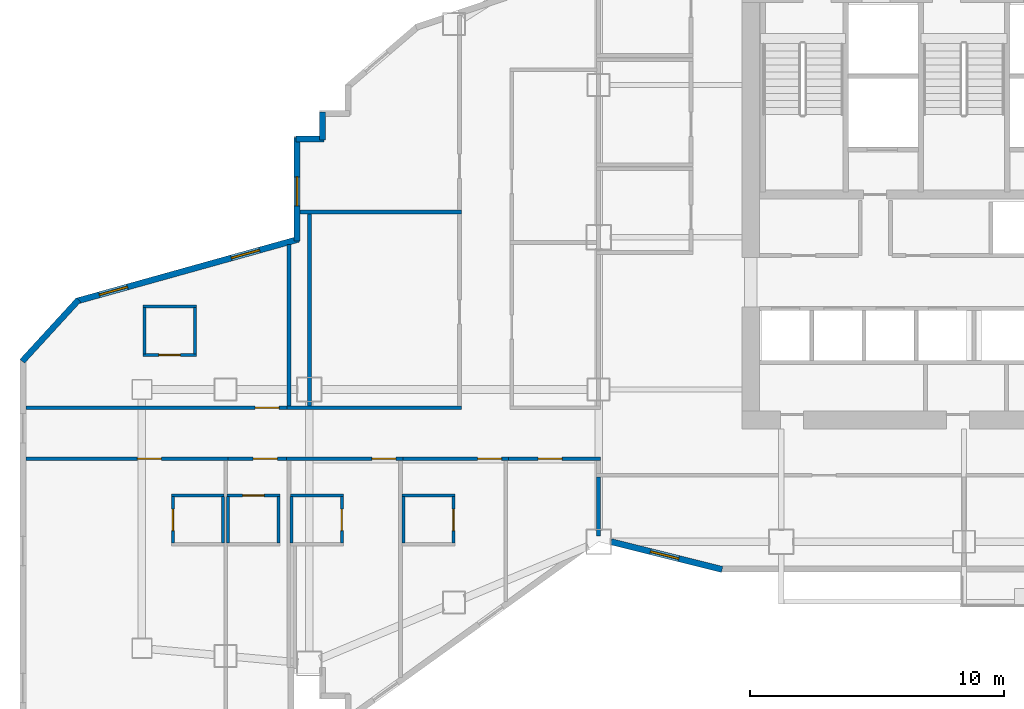
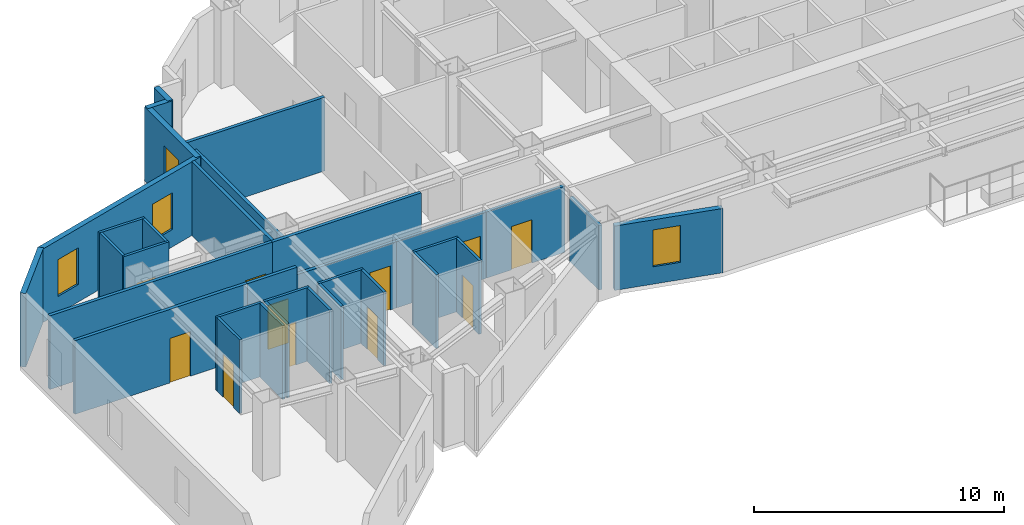
# One storey, part 7 of 14: 33 walls, 11 doors, 4 windows, 15 openings.
"""IFC4 building model written with IfcOpenShell, lengths in metres."""

from ifc_helpers import new_model, si_unit, direction, frame, frame_2d, origin, place, context, subcontext, project, spatial, rectangle, extrude, material, layer, layer_set, type_object, element, fill, save


model = new_model("IFC4")

# Units and contexts
model_context = context("Model", 3, precision=1e-05, world=origin(), true_north=direction((0.0, 1.0)))
body_context = subcontext(model_context, "Body", "Model", "MODEL_VIEW")
ifc_project = project(units=[si_unit("LENGTHUNIT", "METRE"), si_unit("AREAUNIT", "SQUARE_METRE"), si_unit("VOLUMEUNIT", "CUBIC_METRE"), si_unit("PLANEANGLEUNIT", "RADIAN"), si_unit("MASSUNIT", "GRAM", prefix="KILO")], contexts=[model_context])

# Site, building, storey
site_placement = place(None, origin())
site = spatial("IfcSite", under=ifc_project, at=site_placement, CompositionType="ELEMENT")
building_placement = place(site_placement, origin())
building = spatial("IfcBuilding", under=site, at=building_placement, Name="Haolan Belvedere Tower", CompositionType="ELEMENT")
storey_placement = place(building_placement, frame((0.0, 0.0, 141.0)))
storey = spatial("IfcBuildingStorey", under=building, at=storey_placement, Name="L35", CompositionType="ELEMENT", Elevation=141.0)

# Wall, opening, window
ifc_material_1 = material(Name="Precast concrete C40/50", Category="concrete")
ifc_layer_1 = layer(ifc_material_1, 0.239990234375, Name="Precast concrete C40/50")
ifc_layer_set_1 = layer_set([ifc_layer_1], Name="Precast concrete C40/50")
wall_type_1 = type_object("IfcWallType", Name="WL-EXT-240", PredefinedType="SOLIDWALL", material=ifc_layer_set_1)
wall_1_placement = place(storey_placement, frame((24.491943359375, 21.6005859375, 0.0), z_axis=(0.0, 0.0, 1.0), x_axis=(0.970145683738, -0.242522890311, 0.0)))
wall_1 = element("IfcWall", 1, at=wall_1_placement, inside=storey, type_object=wall_type_1, Name="L35 pale-metal exterior spandrel wall 6.1", PredefinedType="SOLIDWALL", context=body_context, shape_type="SweptSolid", body=[
    extrude(rectangle(XDim=4.510986328125, YDim=0.239990234375, at=frame_2d((2.25537109375, 0.0))), origin(), (0.0, 0.0, 1.0), 3.14501953125),
])
opening_1_placement = place(wall_1_placement, frame((1.60009765625, 0.0, 0.85009765625)))
opening_1 = element("IfcOpeningElement", 2, at=opening_1_placement, cuts=wall_1, Name="Opening W-02", PredefinedType="OPENING", context=body_context, shape_type="SweptSolid", body=[
    extrude(rectangle(XDim=1.14990234375, YDim=1.800048828125, at=frame_2d((0.574951171875, 0.89990234375))), frame((0.0, 0.1298828125, 0.0), z_axis=(0.0, -1.0, 0.0), x_axis=(1.0, 0.0, 0.0)), (0.0, 0.0, 1.0), 0.260009765625),
])
ifc_material_2 = material(Name="Anodised aluminium 6063-T6 and Low-E glass", Category="aluminium")
window_type = type_object("IfcWindowType", Name="WN-DECO-Z2", PartitioningType="SINGLE_PANEL", PredefinedType="WINDOW", material=ifc_material_2)
window_1_placement = place(opening_1_placement, origin())
window_1 = element("IfcWindow", 3, at=window_1_placement, inside=storey, type_object=window_type, Name="L35 Art Deco chevron window 1", OverallHeight=1.800048828125, OverallWidth=1.14990234375, PartitioningType="SINGLE_PANEL", PredefinedType="WINDOW", context=body_context, shape_type="SweptSolid", body=[
    extrude(rectangle(XDim=1.14990234375, YDim=1.800048828125, at=frame_2d((0.574951171875, 0.89990234375))), frame((0.0, 0.030029296875, 0.0), z_axis=(0.0, -1.0, 0.0), x_axis=(1.0, 0.0, 0.0)), (0.0, 0.0, 1.0), 0.06005859375),
])
fill(opening_1, window_1)

# Walls
wall_2_placement = place(storey_placement, frame((13.1201171875, 38.534912109375, 0.0), z_axis=(0.0, 0.0, 1.0), x_axis=(0.0, -1.0, 0.0)))
element("IfcWall", 4, at=wall_2_placement, inside=storey, type_object=wall_type_1, Name="L35 pale-metal exterior spandrel wall 39.1", PredefinedType="SOLIDWALL", context=body_context, shape_type="SweptSolid", body=[
    extrude(rectangle(XDim=1.10986328125, YDim=0.239990234375, at=frame_2d((0.554931640625, 0.0))), origin(), (0.0, 0.0, 1.0), 3.60009765625),
])
wall_3_placement = place(storey_placement, frame((13.175048828125, 37.47998046875, 0.0), z_axis=(0.0, 0.0, 1.0), x_axis=(-1.0, 0.0, 0.0)))
element("IfcWall", 5, at=wall_3_placement, inside=storey, type_object=wall_type_1, Name="L35 pale-metal exterior spandrel wall 40.1", PredefinedType="SOLIDWALL", context=body_context, shape_type="SweptSolid", body=[
    extrude(rectangle(XDim=1.110107421875, YDim=0.239990234375, at=frame_2d((0.55517578125, 0.0))), origin(), (0.0, 0.0, 1.0), 3.60009765625),
])

# Wall, opening, window
wall_4_placement = place(storey_placement, frame((12.1201171875, 37.534912109375, 0.0), z_axis=(0.0, 0.0, 1.0), x_axis=(0.0, -1.0, 0.0)))
wall_4 = element("IfcWall", 6, at=wall_4_placement, inside=storey, type_object=wall_type_1, Name="L35 pale-metal exterior spandrel wall 41.1", PredefinedType="SOLIDWALL", context=body_context, shape_type="SweptSolid", body=[
    extrude(rectangle(XDim=4.0810546875, YDim=0.239990234375, at=frame_2d((2.04052734375, 0.0))), origin(), (0.0, 0.0, 1.0), 3.60009765625),
])
opening_2_placement = place(wall_4_placement, frame((1.550048828125, 0.0, 0.85009765625)))
opening_2 = element("IfcOpeningElement", 7, at=opening_2_placement, cuts=wall_4, Name="Opening W-02", PredefinedType="OPENING", context=body_context, shape_type="SweptSolid", body=[
    extrude(rectangle(XDim=1.14990234375, YDim=1.800048828125, at=frame_2d((0.574951171875, 0.89990234375))), frame((0.0, 0.1298828125, 0.0), z_axis=(0.0, -1.0, 0.0), x_axis=(1.0, 0.0, 0.0)), (0.0, 0.0, 1.0), 0.260009765625),
])
window_2_placement = place(opening_2_placement, origin())
window_2 = element("IfcWindow", 8, at=window_2_placement, inside=storey, type_object=window_type, Name="L35 Art Deco chevron window 1", OverallHeight=1.800048828125, OverallWidth=1.14990234375, PartitioningType="SINGLE_PANEL", PredefinedType="WINDOW", context=body_context, shape_type="SweptSolid", body=[
    extrude(rectangle(XDim=1.14990234375, YDim=1.800048828125, at=frame_2d((0.574951171875, 0.89990234375))), frame((0.0, 0.030029296875, 0.0), z_axis=(0.0, -1.0, 0.0), x_axis=(1.0, 0.0, 0.0)), (0.0, 0.0, 1.0), 0.06005859375),
])
fill(opening_2, window_2)

# Wall, openings, windows
wall_5_placement = place(storey_placement, frame((12.173095703125, 33.523681640625, 0.0), z_axis=(0.0, 0.0, 1.0), x_axis=(-0.963197271032, -0.268795493036, 0.0)))
wall_5 = element("IfcWall", 9, at=wall_5_placement, inside=storey, type_object=wall_type_1, Name="L35 pale-metal exterior spandrel wall 42.1", PredefinedType="SOLIDWALL", context=body_context, shape_type="SweptSolid", body=[
    extrude(rectangle(XDim=9.095458984375, YDim=0.239990234375, at=frame_2d((4.5478515625, 0.0))), origin(), (0.0, 0.0, 1.0), 3.60009765625),
])
opening_3_placement = place(wall_5_placement, frame((1.60009765625, 0.0, 0.85009765625)))
opening_3 = element("IfcOpeningElement", 10, at=opening_3_placement, cuts=wall_5, Name="Opening W-02", PredefinedType="OPENING", context=body_context, shape_type="SweptSolid", body=[
    extrude(rectangle(XDim=1.14990234375, YDim=1.800048828125, at=frame_2d((0.574951171875, 0.89990234375))), frame((0.0, 0.1298828125, 0.0), z_axis=(0.0, -1.0, 0.0), x_axis=(1.0, 0.0, 0.0)), (0.0, 0.0, 1.0), 0.260009765625),
])
opening_4_placement = place(wall_5_placement, frame((7.0, 0.0, 0.85009765625)))
opening_4 = element("IfcOpeningElement", 11, at=opening_4_placement, cuts=wall_5, Name="Opening W-02", PredefinedType="OPENING", context=body_context, shape_type="SweptSolid", body=[
    extrude(rectangle(XDim=1.14990234375, YDim=1.800048828125, at=frame_2d((0.574951171875, 0.89990234375))), frame((0.0, 0.1298828125, 0.0), z_axis=(0.0, -1.0, 0.0), x_axis=(1.0, 0.0, 0.0)), (0.0, 0.0, 1.0), 0.260009765625),
])
window_3_placement = place(opening_3_placement, origin())
window_3 = element("IfcWindow", 12, at=window_3_placement, inside=storey, type_object=window_type, Name="L35 Art Deco chevron window 1", OverallHeight=1.800048828125, OverallWidth=1.14990234375, PartitioningType="SINGLE_PANEL", PredefinedType="WINDOW", context=body_context, shape_type="SweptSolid", body=[
    extrude(rectangle(XDim=1.14990234375, YDim=1.800048828125, at=frame_2d((0.574951171875, 0.89990234375))), frame((0.0, 0.030029296875, 0.0), z_axis=(0.0, -1.0, 0.0), x_axis=(1.0, 0.0, 0.0)), (0.0, 0.0, 1.0), 0.06005859375),
])
fill(opening_3, window_3)
window_4_placement = place(opening_4_placement, origin())
window_4 = element("IfcWindow", 13, at=window_4_placement, inside=storey, type_object=window_type, Name="L35 Art Deco chevron window 2", OverallHeight=1.800048828125, OverallWidth=1.14990234375, PartitioningType="SINGLE_PANEL", PredefinedType="WINDOW", context=body_context, shape_type="SweptSolid", body=[
    extrude(rectangle(XDim=1.14990234375, YDim=1.800048828125, at=frame_2d((0.574951171875, 0.89990234375))), frame((0.0, 0.030029296875, 0.0), z_axis=(0.0, -1.0, 0.0), x_axis=(1.0, 0.0, 0.0)), (0.0, 0.0, 1.0), 0.06005859375),
])
fill(opening_4, window_4)

# Walls
wall_6_placement = place(storey_placement, frame((3.50244140625, 31.134033203125, 0.0), z_axis=(0.0, 0.0, 1.0), x_axis=(-0.675781844312, -0.737101688302, 0.0)))
element("IfcWall", 14, at=wall_6_placement, inside=storey, type_object=wall_type_1, Name="L35 pale-metal exterior spandrel wall 43.1", PredefinedType="SOLIDWALL", context=body_context, shape_type="SweptSolid", body=[
    extrude(rectangle(XDim=3.28466796875, YDim=0.239990234375, at=frame_2d((1.642333984375, 0.0))), origin(), (0.0, 0.0, 1.0), 3.60009765625),
])
ifc_material_3 = material(Name="Double gypsum acoustic stud partition", Category="masonry")
ifc_layer_2 = layer(ifc_material_3, 0.14990234375, Name="Double gypsum acoustic stud partition")
ifc_layer_set_2 = layer_set([ifc_layer_2], Name="Double gypsum acoustic stud partition")
wall_type_2 = type_object("IfcWallType", Name="WL-PART-150", PredefinedType="PARTITIONING", material=ifc_layer_set_2)
wall_7_placement = place(storey_placement, frame((24.0, 21.818603515625, 0.0), z_axis=(0.0, 0.0, 1.0), x_axis=(0.0, 1.0, 0.0)))
element("IfcWall", 15, at=wall_7_placement, inside=storey, type_object=wall_type_2, Name="L35 interior partition IW-L35-KS1-W", PredefinedType="PARTITIONING", context=body_context, shape_type="SweptSolid", body=[
    extrude(rectangle(XDim=2.34130859375, YDim=0.14990234375, at=frame_2d((1.170654296875, 0.0))), origin(), (0.0, 0.0, 1.0), 3.14501953125),
])
wall_8_placement = place(storey_placement, frame((12.22509765625, 34.60009765625, 0.0), z_axis=(0.0, 0.0, 1.0), x_axis=(1.0, 0.0, 0.0)))
element("IfcWall", 16, at=wall_8_placement, inside=storey, type_object=wall_type_2, Name="L35 interior partition IW-L35-T2W1-N", PredefinedType="PARTITIONING", context=body_context, shape_type="SweptSolid", body=[
    extrude(rectangle(XDim=6.375, YDim=0.14990234375, at=frame_2d((3.1875, 0.0))), origin(), (0.0, 0.0, 1.0), 3.60009765625),
])
wall_9_placement = place(storey_placement, frame((11.719970703125, 26.8798828125, 0.0), z_axis=(0.0, 0.0, 1.0), x_axis=(1.0, 0.0, 0.0)))
element("IfcWall", 17, at=wall_9_placement, inside=storey, type_object=wall_type_2, Name="L35 interior partition IW-L35-T2W1-S", PredefinedType="PARTITIONING", context=body_context, shape_type="SweptSolid", body=[
    extrude(rectangle(XDim=6.880126953125, YDim=0.14990234375, at=frame_2d((3.43994140625, 0.0))), origin(), (0.0, 0.0, 1.0), 3.60009765625),
])
wall_10_placement = place(storey_placement, frame((11.800048828125, 26.93994140625, 0.0), z_axis=(0.0, 0.0, 1.0), x_axis=(0.0, 1.0, 0.0)))
element("IfcWall", 18, at=wall_10_placement, inside=storey, type_object=wall_type_2, Name="L35 interior partition IW-L35-T2W1-W", PredefinedType="PARTITIONING", context=body_context, shape_type="SweptSolid", body=[
    extrude(rectangle(XDim=6.37060546875, YDim=0.14990234375, at=frame_2d((3.185302734375, 0.0))), origin(), (0.0, 0.0, 1.0), 3.60009765625),
])

# Wall, opening, door
wall_11_placement = place(storey_placement, frame((11.699951171875, 24.8701171875, 0.0), z_axis=(0.0, 0.0, 1.0), x_axis=(1.0, 0.0, 0.0)))
wall_11 = element("IfcWall", 19, at=wall_11_placement, inside=storey, type_object=wall_type_2, Name="L35 interior partition IW-L35-T2S1-N", PredefinedType="PARTITIONING", context=body_context, shape_type="SweptSolid", body=[
    extrude(rectangle(XDim=4.590087890625, YDim=0.14990234375, at=frame_2d((2.294921875, 0.0))), origin(), (0.0, 0.0, 1.0), 3.235107421875),
])
opening_5_placement = place(wall_11_placement, frame((4.311279296875, 0.0, 0.0), z_axis=(0.0, 0.0, 1.0), x_axis=(-1.0, 0.0, 0.0)))
opening_5 = element("IfcOpeningElement", 20, at=opening_5_placement, cuts=wall_11, Name="Opening ID-02", PredefinedType="OPENING", context=body_context, shape_type="SweptSolid", body=[
    extrude(rectangle(XDim=0.949951171875, YDim=2.14990234375, at=frame_2d((0.47509765625, 1.074951171875))), frame((0.0, 0.0849609375, 0.0), z_axis=(0.0, -1.0, 0.0), x_axis=(1.0, 0.0, 0.0)), (0.0, 0.0, 1.0), 0.169921875),
])
ifc_material_4 = material(Name="Acoustic oak veneer fire-rated timber", Category="wood")
door_type_1 = type_object("IfcDoorType", Name="DR-GUEST-950", OperationType="NOTDEFINED", PredefinedType="DOOR", material=ifc_material_4)
door_1_placement = place(opening_5_placement, origin())
door_1 = element("IfcDoor", 21, at=door_1_placement, inside=storey, type_object=door_type_1, Name="L35 door ID-L35-T2S1-ENT", OperationType="SINGLE_SWING_LEFT", OverallHeight=2.14990234375, OverallWidth=0.949951171875, PredefinedType="DOOR", context=body_context, shape_type="SweptSolid", body=[
    extrude(rectangle(XDim=0.949951171875, YDim=2.14990234375, at=frame_2d((0.47509765625, 1.074951171875))), frame((0.0, 0.02490234375, 0.0), z_axis=(0.0, -1.0, 0.0), x_axis=(1.0, 0.0, 0.0)), (0.0, 0.0, 1.0), 0.050048828125),
])
fill(opening_5, door_1)

wall_12_placement = place(storey_placement, frame((16.2919921875, 24.8701171875, 0.0), z_axis=(0.0, 0.0, 1.0), x_axis=(1.0, 0.0, 0.0)))
wall_12 = element("IfcWall", 22, at=wall_12_placement, inside=storey, type_object=wall_type_2, Name="L35 interior partition IW-L35-T2S2-N", PredefinedType="PARTITIONING", context=body_context, shape_type="SweptSolid", body=[
    extrude(rectangle(XDim=4.14794921875, YDim=0.14990234375, at=frame_2d((2.073974609375, 0.0))), origin(), (0.0, 0.0, 1.0), 3.235107421875),
])
opening_6_placement = place(wall_12_placement, frame((3.88525390625, 0.0, 0.0), z_axis=(0.0, 0.0, 1.0), x_axis=(-1.0, 0.0, 0.0)))
opening_6 = element("IfcOpeningElement", 23, at=opening_6_placement, cuts=wall_12, Name="Opening ID-02", PredefinedType="OPENING", context=body_context, shape_type="SweptSolid", body=[
    extrude(rectangle(XDim=0.949951171875, YDim=2.14990234375, at=frame_2d((0.47509765625, 1.074951171875))), frame((0.0, 0.0849609375, 0.0), z_axis=(0.0, -1.0, 0.0), x_axis=(1.0, 0.0, 0.0)), (0.0, 0.0, 1.0), 0.169921875),
])
door_2_placement = place(opening_6_placement, origin())
door_2 = element("IfcDoor", 24, at=door_2_placement, inside=storey, type_object=door_type_1, Name="L35 door ID-L35-T2S2-ENT", OperationType="SINGLE_SWING_RIGHT", OverallHeight=2.14990234375, OverallWidth=0.949951171875, PredefinedType="DOOR", context=body_context, shape_type="SweptSolid", body=[
    extrude(rectangle(XDim=0.949951171875, YDim=2.14990234375, at=frame_2d((0.47509765625, 1.074951171875))), frame((0.0, 0.02490234375, 0.0), z_axis=(0.0, -1.0, 0.0), x_axis=(1.0, 0.0, 0.0)), (0.0, 0.0, 1.0), 0.050048828125),
])
fill(opening_6, door_2)

wall_13_placement = place(storey_placement, frame((20.44189453125, 24.8701171875, 0.0), z_axis=(0.0, 0.0, 1.0), x_axis=(1.0, 0.0, 0.0)))
wall_13 = element("IfcWall", 25, at=wall_13_placement, inside=storey, type_object=wall_type_2, Name="L35 interior partition IW-L35-T2S3-N", PredefinedType="PARTITIONING", context=body_context, shape_type="SweptSolid", body=[
    extrude(rectangle(XDim=3.63818359375, YDim=0.14990234375, at=frame_2d((1.819091796875, 0.0))), origin(), (0.0, 0.0, 1.0), 3.235107421875),
])
opening_7_placement = place(wall_13_placement, frame((2.123046875, 0.0, 0.0), z_axis=(0.0, 0.0, 1.0), x_axis=(-1.0, 0.0, 0.0)))
opening_7 = element("IfcOpeningElement", 26, at=opening_7_placement, cuts=wall_13, Name="Opening ID-03", PredefinedType="OPENING", context=body_context, shape_type="SweptSolid", body=[
    extrude(rectangle(XDim=0.949951171875, YDim=2.1201171875, at=frame_2d((0.47509765625, 1.06005859375))), frame((0.0, 0.0849609375, 0.0), z_axis=(0.0, -1.0, 0.0), x_axis=(1.0, 0.0, 0.0)), (0.0, 0.0, 1.0), 0.169921875),
])
ifc_material_5 = material(Name="Painted solid-core timber", Category="wood")
door_type_2 = type_object("IfcDoorType", Name="DR-INT-950", OperationType="NOTDEFINED", PredefinedType="DOOR", material=ifc_material_5)
door_3_placement = place(opening_7_placement, origin())
door_3 = element("IfcDoor", 27, at=door_3_placement, inside=storey, type_object=door_type_2, Name="L35 door ID-L35-T2S3", OperationType="SINGLE_SWING_LEFT", OverallHeight=2.1201171875, OverallWidth=0.949951171875, PredefinedType="DOOR", context=body_context, shape_type="SweptSolid", body=[
    extrude(rectangle(XDim=0.949951171875, YDim=2.1201171875, at=frame_2d((0.47509765625, 1.06005859375))), frame((0.0, 0.02490234375, 0.0), z_axis=(0.0, -1.0, 0.0), x_axis=(1.0, 0.0, 0.0)), (0.0, 0.0, 1.0), 0.050048828125),
])
fill(opening_7, door_3)

wall_14_placement = place(storey_placement, frame((1.425048828125, 24.8701171875, 0.0), z_axis=(0.0, 0.0, 1.0), x_axis=(1.0, 0.0, 0.0)))
wall_14 = element("IfcWall", 28, at=wall_14_placement, inside=storey, type_object=wall_type_2, Name="L35 interior partition IW-L35-T1S1-N", PredefinedType="PARTITIONING", context=body_context, shape_type="SweptSolid", body=[
    extrude(rectangle(XDim=7.974853515625, YDim=0.14990234375, at=frame_2d((3.9873046875, 0.0))), origin(), (0.0, 0.0, 1.0), 3.60009765625),
])
opening_8_placement = place(wall_14_placement, frame((5.346435546875, 0.0, 0.0), z_axis=(0.0, 0.0, 1.0), x_axis=(-1.0, 0.0, 0.0)))
opening_8 = element("IfcOpeningElement", 29, at=opening_8_placement, cuts=wall_14, Name="Opening ID-01", PredefinedType="OPENING", context=body_context, shape_type="SweptSolid", body=[
    extrude(rectangle(XDim=0.949951171875, YDim=2.179931640625, at=frame_2d((0.47509765625, 1.08984375))), frame((0.0, 0.0849609375, 0.0), z_axis=(0.0, -1.0, 0.0), x_axis=(1.0, 0.0, 0.0)), (0.0, 0.0, 1.0), 0.169921875),
])
ifc_material_6 = material(Name="Acoustic walnut veneer fire-rated timber", Category="wood")
door_type_3 = type_object("IfcDoorType", Name="DR-SUITE-950", OperationType="NOTDEFINED", PredefinedType="DOOR", material=ifc_material_6)
door_4_placement = place(opening_8_placement, origin())
door_4 = element("IfcDoor", 30, at=door_4_placement, inside=storey, type_object=door_type_3, Name="L35 door ID-L35-T1S1-ENT", OperationType="SINGLE_SWING_LEFT", OverallHeight=2.179931640625, OverallWidth=0.949951171875, PredefinedType="DOOR", context=body_context, shape_type="SweptSolid", body=[
    extrude(rectangle(XDim=0.949951171875, YDim=2.179931640625, at=frame_2d((0.47509765625, 1.08984375))), frame((0.0, 0.02490234375, 0.0), z_axis=(0.0, -1.0, 0.0), x_axis=(1.0, 0.0, 0.0)), (0.0, 0.0, 1.0), 0.050048828125),
])
fill(opening_8, door_4)

wall_15_placement = place(storey_placement, frame((9.402099609375, 24.8701171875, 0.0), z_axis=(0.0, 0.0, 1.0), x_axis=(1.0, 0.0, 0.0)))
wall_15 = element("IfcWall", 31, at=wall_15_placement, inside=storey, type_object=wall_type_2, Name="L35 interior partition IW-L35-T1S2-N", PredefinedType="PARTITIONING", context=body_context, shape_type="SweptSolid", body=[
    extrude(rectangle(XDim=2.2958984375, YDim=0.14990234375, at=frame_2d((1.14794921875, 0.0))), origin(), (0.0, 0.0, 1.0), 3.60009765625),
])
opening_9_placement = place(wall_15_placement, frame((1.93408203125, 0.0, 0.0), z_axis=(0.0, 0.0, 1.0), x_axis=(-1.0, 0.0, 0.0)))
opening_9 = element("IfcOpeningElement", 32, at=opening_9_placement, cuts=wall_15, Name="Opening ID-02", PredefinedType="OPENING", context=body_context, shape_type="SweptSolid", body=[
    extrude(rectangle(XDim=0.949951171875, YDim=2.14990234375, at=frame_2d((0.47509765625, 1.074951171875))), frame((0.0, 0.0849609375, 0.0), z_axis=(0.0, -1.0, 0.0), x_axis=(1.0, 0.0, 0.0)), (0.0, 0.0, 1.0), 0.169921875),
])
door_5_placement = place(opening_9_placement, origin())
door_5 = element("IfcDoor", 33, at=door_5_placement, inside=storey, type_object=door_type_1, Name="L35 door ID-L35-T1S2-ENT", OperationType="SINGLE_SWING_RIGHT", OverallHeight=2.14990234375, OverallWidth=0.949951171875, PredefinedType="DOOR", context=body_context, shape_type="SweptSolid", body=[
    extrude(rectangle(XDim=0.949951171875, YDim=2.14990234375, at=frame_2d((0.47509765625, 1.074951171875))), frame((0.0, 0.02490234375, 0.0), z_axis=(0.0, -1.0, 0.0), x_axis=(1.0, 0.0, 0.0)), (0.0, 0.0, 1.0), 0.050048828125),
])
fill(opening_9, door_5)

wall_16_placement = place(storey_placement, frame((1.425048828125, 26.8798828125, 0.0), z_axis=(0.0, 0.0, 1.0), x_axis=(1.0, 0.0, 0.0)))
wall_16 = element("IfcWall", 34, at=wall_16_placement, inside=storey, type_object=wall_type_2, Name="L35 interior partition IW-L35-T1N1-S", PredefinedType="PARTITIONING", context=body_context, shape_type="SweptSolid", body=[
    extrude(rectangle(XDim=10.29296875, YDim=0.14990234375, at=frame_2d((5.146484375, 0.0))), origin(), (0.0, 0.0, 1.0), 3.60009765625),
])
opening_10_placement = place(wall_16_placement, frame((9.036376953125, 0.0, 0.0)))
opening_10 = element("IfcOpeningElement", 35, at=opening_10_placement, cuts=wall_16, Name="Opening ID-02", PredefinedType="OPENING", context=body_context, shape_type="SweptSolid", body=[
    extrude(rectangle(XDim=0.949951171875, YDim=2.14990234375, at=frame_2d((0.47509765625, 1.074951171875))), frame((0.0, 0.0849609375, 0.0), z_axis=(0.0, -1.0, 0.0), x_axis=(1.0, 0.0, 0.0)), (0.0, 0.0, 1.0), 0.169921875),
])
door_6_placement = place(opening_10_placement, origin())
door_6 = element("IfcDoor", 36, at=door_6_placement, inside=storey, type_object=door_type_1, Name="L35 door ID-L35-T1N1-ENT", OperationType="SINGLE_SWING_LEFT", OverallHeight=2.14990234375, OverallWidth=0.949951171875, PredefinedType="DOOR", context=body_context, shape_type="SweptSolid", body=[
    extrude(rectangle(XDim=0.949951171875, YDim=2.14990234375, at=frame_2d((0.47509765625, 1.074951171875))), frame((0.0, 0.02490234375, 0.0), z_axis=(0.0, -1.0, 0.0), x_axis=(1.0, 0.0, 0.0)), (0.0, 0.0, 1.0), 0.050048828125),
])
fill(opening_10, door_6)

# Walls
wall_17_placement = place(storey_placement, frame((12.60009765625, 26.93994140625, 0.0), z_axis=(0.0, 0.0, 1.0), x_axis=(0.0, 1.0, 0.0)))
element("IfcWall", 37, at=wall_17_placement, inside=storey, type_object=wall_type_2, Name="L35 interior partition IW-L35-T1N1-E", PredefinedType="PARTITIONING", context=body_context, shape_type="SweptSolid", body=[
    extrude(rectangle(XDim=7.60009765625, YDim=0.14990234375, at=frame_2d((3.800048828125, 0.0))), origin(), (0.0, 0.0, 1.0), 3.14501953125),
])
ifc_material_7 = material(Name="Moisture-resistant gypsum tile partition", Category="masonry")
ifc_layer_3 = layer(ifc_material_7, 0.1201171875, Name="Moisture-resistant gypsum tile partition")
ifc_layer_set_3 = layer_set([ifc_layer_3], Name="Moisture-resistant gypsum tile partition")
wall_type_3 = type_object("IfcWallType", Name="WL-WET-120", PredefinedType="PARTITIONING", material=ifc_layer_set_3)
wall_18_placement = place(storey_placement, frame((11.860107421875, 23.419921875, 0.0), z_axis=(0.0, 0.0, 1.0), x_axis=(1.0, 0.0, 0.0)))
element("IfcWall", 38, at=wall_18_placement, inside=storey, type_object=wall_type_3, Name="L35 interior partition IW-L35-T2S1-BN", PredefinedType="PARTITIONING", context=body_context, shape_type="SweptSolid", body=[
    extrude(rectangle(XDim=2.079833984375, YDim=0.1201171875, at=frame_2d((1.0400390625, 0.0))), origin(), (0.0, 0.0, 1.0), 3.60009765625),
])
wall_19_placement = place(storey_placement, frame((11.89990234375, 21.544921875, 0.0), z_axis=(0.0, 0.0, 1.0), x_axis=(0.0, 1.0, 0.0)))
element("IfcWall", 39, at=wall_19_placement, inside=storey, type_object=wall_type_3, Name="L35 interior partition IW-L35-T2S1-BW", PredefinedType="PARTITIONING", context=body_context, shape_type="SweptSolid", body=[
    extrude(rectangle(XDim=1.830078125, YDim=0.1201171875, at=frame_2d((0.9150390625, 0.0))), origin(), (0.0, 0.0, 1.0), 3.60009765625),
])

# Wall, opening, door
wall_20_placement = place(storey_placement, frame((13.8798828125, 21.544921875, 0.0), z_axis=(0.0, 0.0, 1.0), x_axis=(0.0, 1.0, 0.0)))
wall_20 = element("IfcWall", 40, at=wall_20_placement, inside=storey, type_object=wall_type_3, Name="L35 interior partition IW-L35-T2S1-BE", PredefinedType="PARTITIONING", context=body_context, shape_type="SweptSolid", body=[
    extrude(rectangle(XDim=1.830078125, YDim=0.1201171875, at=frame_2d((0.9150390625, 0.0))), origin(), (0.0, 0.0, 1.0), 3.60009765625),
])
opening_11_placement = place(wall_20_placement, frame((0.489990234375, 0.0, 0.0)))
opening_11 = element("IfcOpeningElement", 41, at=opening_11_placement, cuts=wall_20, Name="Opening ID-05", PredefinedType="OPENING", context=body_context, shape_type="SweptSolid", body=[
    extrude(rectangle(XDim=0.85009765625, YDim=2.10009765625, at=frame_2d((0.425048828125, 1.050048828125))), frame((0.0, 0.070068359375, 0.0), z_axis=(0.0, -1.0, 0.0), x_axis=(1.0, 0.0, 0.0)), (0.0, 0.0, 1.0), 0.14013671875),
])
ifc_material_8 = material(Name="Moisture-resistant lacquered timber", Category="wood")
door_type_4 = type_object("IfcDoorType", Name="DR-BATH-850", OperationType="NOTDEFINED", PredefinedType="DOOR", material=ifc_material_8)
door_7_placement = place(opening_11_placement, origin())
door_7 = element("IfcDoor", 42, at=door_7_placement, inside=storey, type_object=door_type_4, Name="L35 door ID-L35-T2S1-BATH", OperationType="SINGLE_SWING_RIGHT", OverallHeight=2.10009765625, OverallWidth=0.85009765625, PredefinedType="DOOR", context=body_context, shape_type="SweptSolid", body=[
    extrude(rectangle(XDim=0.85009765625, YDim=2.10009765625, at=frame_2d((0.425048828125, 1.050048828125))), frame((0.0, 0.02490234375, 0.0), z_axis=(0.0, -1.0, 0.0), x_axis=(1.0, 0.0, 0.0)), (0.0, 0.0, 1.0), 0.050048828125),
])
fill(opening_11, door_7)

# Walls
wall_21_placement = place(storey_placement, frame((16.25, 23.419921875, 0.0), z_axis=(0.0, 0.0, 1.0), x_axis=(1.0, 0.0, 0.0)))
element("IfcWall", 43, at=wall_21_placement, inside=storey, type_object=wall_type_3, Name="L35 interior partition IW-L35-T2S2-BN", PredefinedType="PARTITIONING", context=body_context, shape_type="SweptSolid", body=[
    extrude(rectangle(XDim=2.094970703125, YDim=0.1201171875, at=frame_2d((1.04736328125, 0.0))), origin(), (0.0, 0.0, 1.0), 3.60009765625),
])
wall_22_placement = place(storey_placement, frame((16.304931640625, 21.544921875, 0.0), z_axis=(0.0, 0.0, 1.0), x_axis=(0.0, 1.0, 0.0)))
element("IfcWall", 44, at=wall_22_placement, inside=storey, type_object=wall_type_3, Name="L35 interior partition IW-L35-T2S2-BW", PredefinedType="PARTITIONING", context=body_context, shape_type="SweptSolid", body=[
    extrude(rectangle(XDim=1.830078125, YDim=0.1201171875, at=frame_2d((0.9150390625, 0.0))), origin(), (0.0, 0.0, 1.0), 3.60009765625),
])

# Wall, opening, door
wall_23_placement = place(storey_placement, frame((18.284912109375, 21.544921875, 0.0), z_axis=(0.0, 0.0, 1.0), x_axis=(0.0, 1.0, 0.0)))
wall_23 = element("IfcWall", 45, at=wall_23_placement, inside=storey, type_object=wall_type_3, Name="L35 interior partition IW-L35-T2S2-BE", PredefinedType="PARTITIONING", context=body_context, shape_type="SweptSolid", body=[
    extrude(rectangle(XDim=1.830078125, YDim=0.1201171875, at=frame_2d((0.9150390625, 0.0))), origin(), (0.0, 0.0, 1.0), 3.60009765625),
])
opening_12_placement = place(wall_23_placement, frame((0.489990234375, 0.0, 0.0)))
opening_12 = element("IfcOpeningElement", 46, at=opening_12_placement, cuts=wall_23, Name="Opening ID-05", PredefinedType="OPENING", context=body_context, shape_type="SweptSolid", body=[
    extrude(rectangle(XDim=0.85009765625, YDim=2.10009765625, at=frame_2d((0.425048828125, 1.050048828125))), frame((0.0, 0.070068359375, 0.0), z_axis=(0.0, -1.0, 0.0), x_axis=(1.0, 0.0, 0.0)), (0.0, 0.0, 1.0), 0.14013671875),
])
door_8_placement = place(opening_12_placement, origin())
door_8 = element("IfcDoor", 47, at=door_8_placement, inside=storey, type_object=door_type_4, Name="L35 door ID-L35-T2S2-BATH", OperationType="SINGLE_SWING_LEFT", OverallHeight=2.10009765625, OverallWidth=0.85009765625, PredefinedType="DOOR", context=body_context, shape_type="SweptSolid", body=[
    extrude(rectangle(XDim=0.85009765625, YDim=2.10009765625, at=frame_2d((0.425048828125, 1.050048828125))), frame((0.0, 0.02490234375, 0.0), z_axis=(0.0, -1.0, 0.0), x_axis=(1.0, 0.0, 0.0)), (0.0, 0.0, 1.0), 0.050048828125),
])
fill(opening_12, door_8)

# Wall
wall_24_placement = place(storey_placement, frame((7.159912109375, 23.419921875, 0.0), z_axis=(0.0, 0.0, 1.0), x_axis=(1.0, 0.0, 0.0)))
element("IfcWall", 48, at=wall_24_placement, inside=storey, type_object=wall_type_3, Name="L35 interior partition IW-L35-T1S1-BN", PredefinedType="PARTITIONING", context=body_context, shape_type="SweptSolid", body=[
    extrude(rectangle(XDim=2.080078125, YDim=0.1201171875, at=frame_2d((1.0400390625, 0.0))), origin(), (0.0, 0.0, 1.0), 3.60009765625),
])

# Wall, opening, door
wall_25_placement = place(storey_placement, frame((7.219970703125, 21.544921875, 0.0), z_axis=(0.0, 0.0, 1.0), x_axis=(0.0, 1.0, 0.0)))
wall_25 = element("IfcWall", 49, at=wall_25_placement, inside=storey, type_object=wall_type_3, Name="L35 interior partition IW-L35-T1S1-BW", PredefinedType="PARTITIONING", context=body_context, shape_type="SweptSolid", body=[
    extrude(rectangle(XDim=1.830078125, YDim=0.1201171875, at=frame_2d((0.9150390625, 0.0))), origin(), (0.0, 0.0, 1.0), 3.60009765625),
])
opening_13_placement = place(wall_25_placement, frame((1.340087890625, 0.0, 0.0), z_axis=(0.0, 0.0, 1.0), x_axis=(-1.0, 0.0, 0.0)))
opening_13 = element("IfcOpeningElement", 50, at=opening_13_placement, cuts=wall_25, Name="Opening ID-05", PredefinedType="OPENING", context=body_context, shape_type="SweptSolid", body=[
    extrude(rectangle(XDim=0.85009765625, YDim=2.10009765625, at=frame_2d((0.425048828125, 1.050048828125))), frame((0.0, 0.070068359375, 0.0), z_axis=(0.0, -1.0, 0.0), x_axis=(1.0, 0.0, 0.0)), (0.0, 0.0, 1.0), 0.14013671875),
])
door_9_placement = place(opening_13_placement, origin())
door_9 = element("IfcDoor", 51, at=door_9_placement, inside=storey, type_object=door_type_4, Name="L35 door ID-L35-T1S1-BATH", OperationType="SINGLE_SWING_RIGHT", OverallHeight=2.10009765625, OverallWidth=0.85009765625, PredefinedType="DOOR", context=body_context, shape_type="SweptSolid", body=[
    extrude(rectangle(XDim=0.85009765625, YDim=2.10009765625, at=frame_2d((0.425048828125, 1.050048828125))), frame((0.0, 0.02490234375, 0.0), z_axis=(0.0, -1.0, 0.0), x_axis=(1.0, 0.0, 0.0)), (0.0, 0.0, 1.0), 0.050048828125),
])
fill(opening_13, door_9)

# Wall
wall_26_placement = place(storey_placement, frame((9.199951171875, 21.544921875, 0.0), z_axis=(0.0, 0.0, 1.0), x_axis=(0.0, 1.0, 0.0)))
element("IfcWall", 52, at=wall_26_placement, inside=storey, type_object=wall_type_3, Name="L35 interior partition IW-L35-T1S1-BE", PredefinedType="PARTITIONING", context=body_context, shape_type="SweptSolid", body=[
    extrude(rectangle(XDim=1.830078125, YDim=0.1201171875, at=frame_2d((0.9150390625, 0.0))), origin(), (0.0, 0.0, 1.0), 3.60009765625),
])

# Wall, opening, door
wall_27_placement = place(storey_placement, frame((9.360107421875, 23.419921875, 0.0), z_axis=(0.0, 0.0, 1.0), x_axis=(1.0, 0.0, 0.0)))
wall_27 = element("IfcWall", 53, at=wall_27_placement, inside=storey, type_object=wall_type_3, Name="L35 interior partition IW-L35-T1S2-BN", PredefinedType="PARTITIONING", context=body_context, shape_type="SweptSolid", body=[
    extrude(rectangle(XDim=2.079833984375, YDim=0.1201171875, at=frame_2d((1.0400390625, 0.0))), origin(), (0.0, 0.0, 1.0), 3.60009765625),
])
opening_14_placement = place(wall_27_placement, frame((1.455078125, 0.0, 0.0), z_axis=(0.0, 0.0, 1.0), x_axis=(-1.0, 0.0, 0.0)))
opening_14 = element("IfcOpeningElement", 54, at=opening_14_placement, cuts=wall_27, Name="Opening ID-05", PredefinedType="OPENING", context=body_context, shape_type="SweptSolid", body=[
    extrude(rectangle(XDim=0.85009765625, YDim=2.10009765625, at=frame_2d((0.425048828125, 1.050048828125))), frame((0.0, 0.070068359375, 0.0), z_axis=(0.0, -1.0, 0.0), x_axis=(1.0, 0.0, 0.0)), (0.0, 0.0, 1.0), 0.14013671875),
])
door_10_placement = place(opening_14_placement, origin())
door_10 = element("IfcDoor", 55, at=door_10_placement, inside=storey, type_object=door_type_4, Name="L35 door ID-L35-T1S2-BATH", OperationType="SINGLE_SWING_LEFT", OverallHeight=2.10009765625, OverallWidth=0.85009765625, PredefinedType="DOOR", context=body_context, shape_type="SweptSolid", body=[
    extrude(rectangle(XDim=0.85009765625, YDim=2.10009765625, at=frame_2d((0.425048828125, 1.050048828125))), frame((0.0, 0.02490234375, 0.0), z_axis=(0.0, -1.0, 0.0), x_axis=(1.0, 0.0, 0.0)), (0.0, 0.0, 1.0), 0.050048828125),
])
fill(opening_14, door_10)

# Walls
for number, where, z_axis, x_axis, name in (
    (56, (9.39990234375, 21.544921875, 0.0), (0.0, 0.0, 1.0), (0.0, 1.0, 0.0), "L35 interior partition IW-L35-T1S2-BW"),
    (57, (11.3798828125, 21.544921875, 0.0), (0.0, 0.0, 1.0), (0.0, 1.0, 0.0), "L35 interior partition IW-L35-T1S2-BE"),
):
    element("IfcWall", number, at=place(storey_placement, frame(where, z_axis=z_axis, x_axis=x_axis)), inside=storey, type_object=wall_type_3, Name=name, PredefinedType="PARTITIONING", context=body_context, shape_type="SweptSolid", body=[
        extrude(rectangle(XDim=1.830078125, YDim=0.1201171875, at=frame_2d((0.9150390625, 0.0))), origin(), (0.0, 0.0, 1.0), 3.60009765625),
    ])
wall_28_placement = place(storey_placement, frame((6.04296875, 30.876953125, 0.0), z_axis=(0.0, 0.0, 1.0), x_axis=(1.0, 0.0, 0.0)))
element("IfcWall", 58, at=wall_28_placement, inside=storey, type_object=wall_type_3, Name="L35 interior partition IW-L35-T1N1-BN", PredefinedType="PARTITIONING", context=body_context, shape_type="SweptSolid", body=[
    extrude(rectangle(XDim=2.10009765625, YDim=0.1201171875, at=frame_2d((1.050048828125, 0.0))), origin(), (0.0, 0.0, 1.0), 3.60009765625),
])

# Wall, opening, door
wall_29_placement = place(storey_placement, frame((6.04296875, 28.95703125, 0.0), z_axis=(0.0, 0.0, 1.0), x_axis=(1.0, 0.0, 0.0)))
wall_29 = element("IfcWall", 59, at=wall_29_placement, inside=storey, type_object=wall_type_3, Name="L35 interior partition IW-L35-T1N1-BS", PredefinedType="PARTITIONING", context=body_context, shape_type="SweptSolid", body=[
    extrude(rectangle(XDim=2.10009765625, YDim=0.1201171875, at=frame_2d((1.050048828125, 0.0))), origin(), (0.0, 0.0, 1.0), 3.60009765625),
])
opening_15_placement = place(wall_29_placement, frame((0.625, 0.0, 0.0)))
opening_15 = element("IfcOpeningElement", 60, at=opening_15_placement, cuts=wall_29, Name="Opening ID-05", PredefinedType="OPENING", context=body_context, shape_type="SweptSolid", body=[
    extrude(rectangle(XDim=0.85009765625, YDim=2.10009765625, at=frame_2d((0.425048828125, 1.050048828125))), frame((0.0, 0.070068359375, 0.0), z_axis=(0.0, -1.0, 0.0), x_axis=(1.0, 0.0, 0.0)), (0.0, 0.0, 1.0), 0.14013671875),
])
door_11_placement = place(opening_15_placement, origin())
door_11 = element("IfcDoor", 61, at=door_11_placement, inside=storey, type_object=door_type_4, Name="L35 door ID-L35-T1N1-BATH", OperationType="SINGLE_SWING_RIGHT", OverallHeight=2.10009765625, OverallWidth=0.85009765625, PredefinedType="DOOR", context=body_context, shape_type="SweptSolid", body=[
    extrude(rectangle(XDim=0.85009765625, YDim=2.10009765625, at=frame_2d((0.425048828125, 1.050048828125))), frame((0.0, 0.02490234375, 0.0), z_axis=(0.0, -1.0, 0.0), x_axis=(1.0, 0.0, 0.0)), (0.0, 0.0, 1.0), 0.050048828125),
])
fill(opening_15, door_11)

# Walls
for number, where, z_axis, x_axis, name in (
    (62, (6.10302734375, 29.001953125, 0.0), (0.0, 0.0, 1.0), (0.0, 1.0, 0.0), "L35 interior partition IW-L35-T1N1-BW"),
    (63, (8.0830078125, 29.001953125, 0.0), (0.0, 0.0, 1.0), (0.0, 1.0, 0.0), "L35 interior partition IW-L35-T1N1-BE"),
):
    element("IfcWall", number, at=place(storey_placement, frame(where, z_axis=z_axis, x_axis=x_axis)), inside=storey, type_object=wall_type_3, Name=name, PredefinedType="PARTITIONING", context=body_context, shape_type="SweptSolid", body=[
        extrude(rectangle(XDim=1.830078125, YDim=0.1201171875, at=frame_2d((0.9150390625, 0.0))), origin(), (0.0, 0.0, 1.0), 3.60009765625),
    ])

save(model, "model.ifc")
